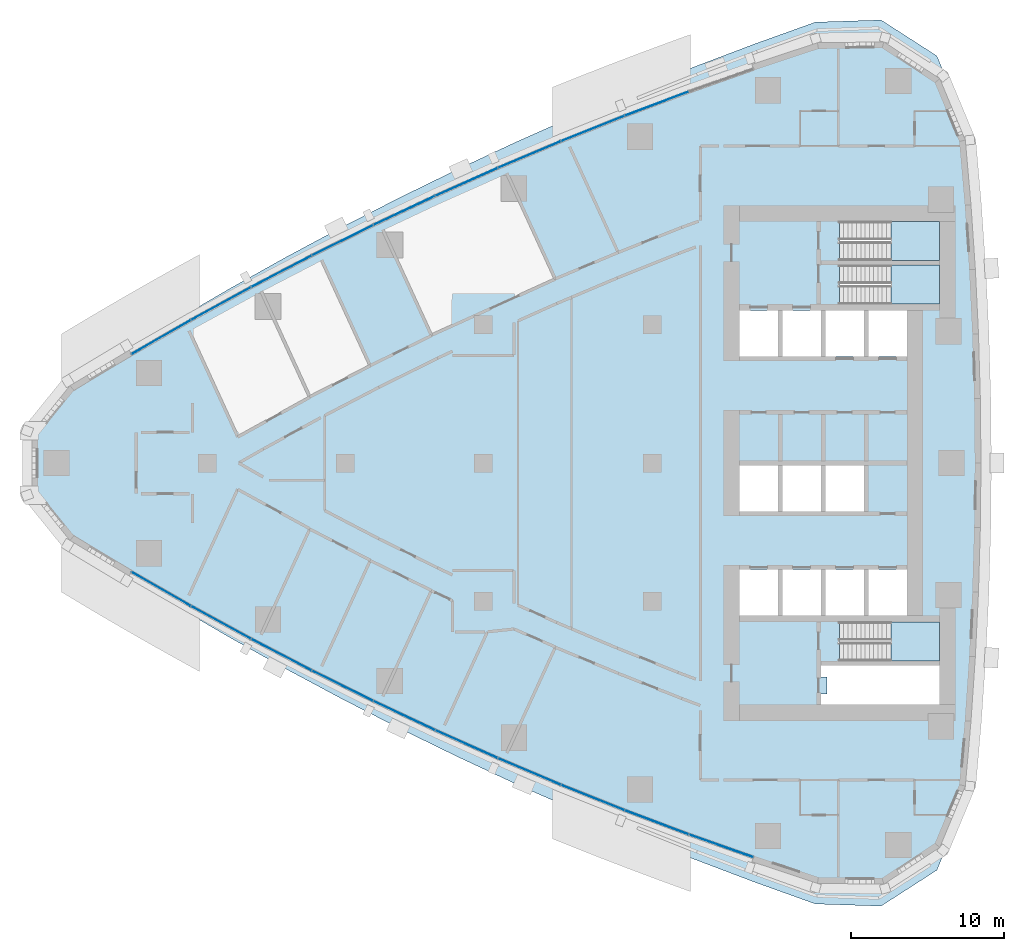
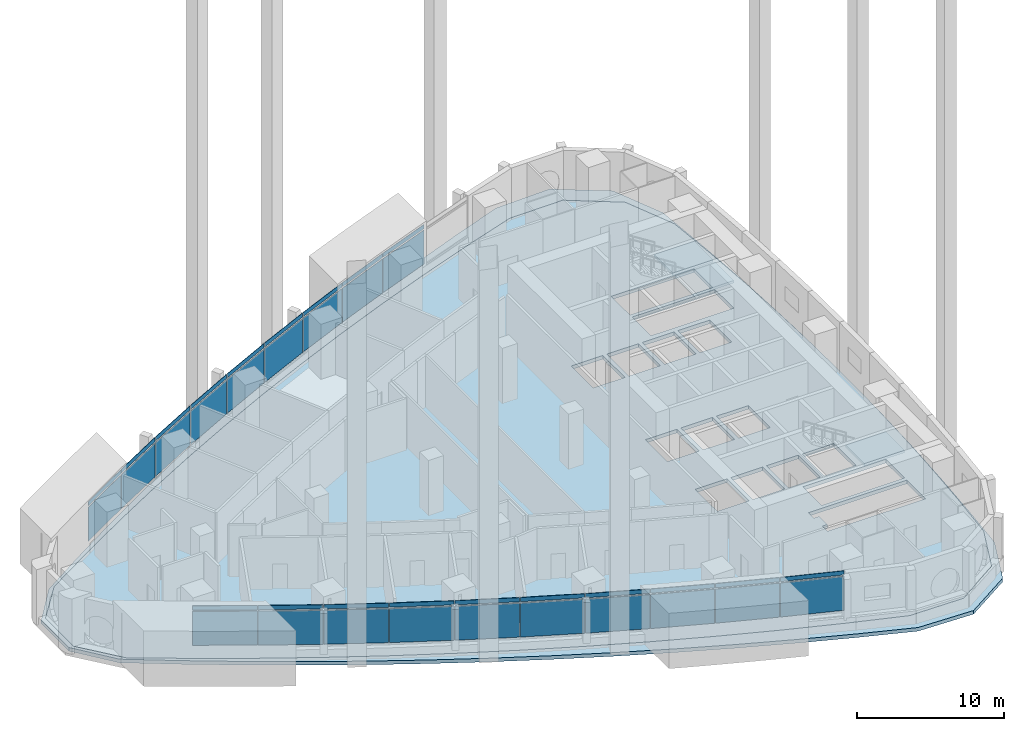
# One storey, part 6 of 17: 38 plates, 5 slabs, 1 opening, 13 elements without a shape of their own.
"""IFC4 building model written with IfcOpenShell, lengths in metres."""

from ifc_helpers import new_model, si_unit, direction, frame, origin, origin_2d, place, context, subcontext, project, spatial, polyline, rectangle, outline, extrude, material, layer, layer_set, type_object, element, aggregate, save


model = new_model("IFC4")

# Units and contexts
model_context = context("Model", 3, precision=1e-05, world=origin(), true_north=direction((0.0, 1.0)))
body_context = subcontext(model_context, "Body", "Model", "MODEL_VIEW")
ifc_project = project(units=[si_unit("LENGTHUNIT", "METRE"), si_unit("AREAUNIT", "SQUARE_METRE"), si_unit("VOLUMEUNIT", "CUBIC_METRE"), si_unit("PLANEANGLEUNIT", "RADIAN"), si_unit("MASSUNIT", "GRAM", prefix="KILO")], contexts=[model_context])

# Site, building, storey
site_placement = place(None, origin())
site = spatial("IfcSite", under=ifc_project, at=site_placement, CompositionType="ELEMENT")
building_placement = place(site_placement, origin())
building = spatial("IfcBuilding", under=site, at=building_placement, Name="Ostrand Prow Hotel Tower", CompositionType="ELEMENT")
storey_placement = place(building_placement, frame((0.0, 0.0, 80.300048828125)))
storey = spatial("IfcBuildingStorey", under=building, at=storey_placement, Name="L18", CompositionType="ELEMENT", Elevation=80.300048828125)

# Curtain wall, plates
ifc_material_1 = material(Name="Insulated glass in bronze anodised frame", Category="glass")
ifc_layer_1 = layer(ifc_material_1, 0.199951171875)
ifc_layer_set_1 = layer_set([ifc_layer_1], Name="Insulated glass in bronze anodised frame")
curtain_wall_type = type_object("IfcCurtainWallType", Name="Sky lobby full-height curtain wall", PredefinedType="NOTDEFINED", material=ifc_layer_set_1)
curtain_wall_1_placement = place(storey_placement, origin())
curtain_wall_1 = element("IfcCurtainWall", 1, at=curtain_wall_1_placement, inside=storey, type_object=curtain_wall_type, Name="CW3 run CWS1", PredefinedType="NOTDEFINED")
ifc_material_2 = material(Name="Low-iron clear glass", Category="glass")
ifc_layer_2 = layer(ifc_material_2, 0.031982421875)
ifc_layer_set_2 = layer_set([ifc_layer_2], Name="Low-iron clear glass")
plate_type_1 = type_object("IfcPlateType", Name="Clear glass unit 32 mm", PredefinedType="CURTAIN_PANEL", material=ifc_layer_set_2)
plate_1_placement = place(storey_placement, frame((13.013916015625, -8.2099609375, 1.02001953125), z_axis=(0.0, 0.0, 1.0), x_axis=(0.867684775301, -0.497114806368, 0.0)))
plate_1 = element("IfcPlate", 2, at=plate_1_placement, type_object=plate_type_1, Name="CW3 PN-C panel 1.2", PredefinedType="CURTAIN_PANEL", context=body_context, shape_type="SweptSolid", body=[
    extrude(rectangle(XDim=4.406005859375, YDim=0.031982421875, at=origin_2d()), origin(), (0.0, 0.0, 1.0), 2.820068359375),
])
plate_2_placement = place(storey_placement, frame((13.013916015625, -8.2099609375, 3.9599609375), z_axis=(0.0, 0.0, 1.0), x_axis=(0.867684775301, -0.497114806368, 0.0)))
plate_2 = element("IfcPlate", 3, at=plate_2_placement, type_object=plate_type_1, Name="CW3 PN-C panel 1.3", PredefinedType="CURTAIN_PANEL", context=body_context, shape_type="SweptSolid", body=[
    extrude(rectangle(XDim=4.406005859375, YDim=0.031982421875, at=origin_2d()), origin(), (0.0, 0.0, 1.0), 0.340087890625),
])
plate_3_placement = place(storey_placement, frame((16.910888671875, -10.39111328125, 1.02001953125), z_axis=(0.0, 0.0, 1.0), x_axis=(0.877466978439, -0.479637052103, 0.0)))
plate_3 = element("IfcPlate", 4, at=plate_3_placement, type_object=plate_type_1, Name="CW3 PN-C panel 2.2", PredefinedType="CURTAIN_PANEL", context=body_context, shape_type="SweptSolid", body=[
    extrude(rectangle(XDim=4.406005859375, YDim=0.031982421875, at=origin_2d()), origin(), (0.0, 0.0, 1.0), 2.820068359375),
])

curtain_wall_2_placement = place(storey_placement, origin())
curtain_wall_2 = element("IfcCurtainWall", 5, at=curtain_wall_2_placement, inside=storey, type_object=curtain_wall_type, Name="CW3 run CWS2", PredefinedType="NOTDEFINED")
plate_4_placement = place(storey_placement, frame((20.8505859375, -12.49365234375, 1.02001953125), z_axis=(0.0, 0.0, 1.0), x_axis=(0.886896367661, -0.461968432937, 0.0)))
plate_4 = element("IfcPlate", 6, at=plate_4_placement, type_object=plate_type_1, Name="CW3 PN-C panel 1.2", PredefinedType="CURTAIN_PANEL", context=body_context, shape_type="SweptSolid", body=[
    extrude(rectangle(XDim=4.406005859375, YDim=0.031982421875, at=origin_2d()), origin(), (0.0, 0.0, 1.0), 2.820068359375),
])
plate_5_placement = place(storey_placement, frame((24.831787109375, -14.516845703125, 1.02001953125), z_axis=(0.0, 0.0, 1.0), x_axis=(0.895970803653, -0.44411295748, 0.0)))
plate_5 = element("IfcPlate", 7, at=plate_5_placement, type_object=plate_type_1, Name="CW3 PN-C panel 2.2", PredefinedType="CURTAIN_PANEL", context=body_context, shape_type="SweptSolid", body=[
    extrude(rectangle(XDim=4.406005859375, YDim=0.031982421875, at=origin_2d()), origin(), (0.0, 0.0, 1.0), 2.820068359375),
])

curtain_wall_3_placement = place(storey_placement, origin())
curtain_wall_3 = element("IfcCurtainWall", 8, at=curtain_wall_3_placement, inside=storey, type_object=curtain_wall_type, Name="CW3 run CWS3", PredefinedType="NOTDEFINED")
plate_6_placement = place(storey_placement, frame((28.852783203125, -16.4599609375, 1.02001953125), z_axis=(0.0, 0.0, 1.0), x_axis=(0.904685808958, -0.426079320162, 0.0)))
plate_6 = element("IfcPlate", 9, at=plate_6_placement, type_object=plate_type_1, Name="CW3 PN-C panel 1.2", PredefinedType="CURTAIN_PANEL", context=body_context, shape_type="SweptSolid", body=[
    extrude(rectangle(XDim=4.406005859375, YDim=0.031982421875, at=origin_2d()), origin(), (0.0, 0.0, 1.0), 2.820068359375),
])
plate_7_placement = place(storey_placement, frame((28.852783203125, -16.4599609375, 3.9599609375), z_axis=(0.0, 0.0, 1.0), x_axis=(0.904685808958, -0.426079320162, 0.0)))
plate_7 = element("IfcPlate", 10, at=plate_7_placement, type_object=plate_type_1, Name="CW3 PN-C panel 1.3", PredefinedType="CURTAIN_PANEL", context=body_context, shape_type="SweptSolid", body=[
    extrude(rectangle(XDim=4.406005859375, YDim=0.031982421875, at=origin_2d()), origin(), (0.0, 0.0, 1.0), 0.340087890625),
])
plate_8_placement = place(storey_placement, frame((32.911865234375, -18.322265625, 1.02001953125), z_axis=(0.0, 0.0, 1.0), x_axis=(0.913037887435, -0.407874755419, 0.0)))
plate_8 = element("IfcPlate", 11, at=plate_8_placement, type_object=plate_type_1, Name="CW3 PN-C panel 2.2", PredefinedType="CURTAIN_PANEL", context=body_context, shape_type="SweptSolid", body=[
    extrude(rectangle(XDim=4.406005859375, YDim=0.031982421875, at=origin_2d()), origin(), (0.0, 0.0, 1.0), 2.820068359375),
])

curtain_wall_4_placement = place(storey_placement, origin())
curtain_wall_4 = element("IfcCurtainWall", 12, at=curtain_wall_4_placement, inside=storey, type_object=curtain_wall_type, Name="CW3 run CWS4", PredefinedType="NOTDEFINED")
plate_9_placement = place(storey_placement, frame((37.007080078125, -20.102783203125, 1.02001953125), z_axis=(0.0, 0.0, 1.0), x_axis=(0.921023688536, -0.389506566255, 0.0)))
plate_9 = element("IfcPlate", 13, at=plate_9_placement, type_object=plate_type_1, Name="CW3 PN-C panel 1.2", PredefinedType="CURTAIN_PANEL", context=body_context, shape_type="SweptSolid", body=[
    extrude(rectangle(XDim=4.406005859375, YDim=0.031982421875, at=origin_2d()), origin(), (0.0, 0.0, 1.0), 2.820068359375),
])
plate_10_placement = place(storey_placement, frame((41.137451171875, -21.801025390625, 1.02001953125), z_axis=(0.0, 0.0, 1.0), x_axis=(0.928640008649, -0.370982121315, 0.0)))
plate_10 = element("IfcPlate", 14, at=plate_10_placement, type_object=plate_type_1, Name="CW3 PN-C panel 2.2", PredefinedType="CURTAIN_PANEL", context=body_context, shape_type="SweptSolid", body=[
    extrude(rectangle(XDim=4.406005859375, YDim=0.031982421875, at=origin_2d()), origin(), (0.0, 0.0, 1.0), 2.820068359375),
])

curtain_wall_5_placement = place(storey_placement, origin())
curtain_wall_5 = element("IfcCurtainWall", 15, at=curtain_wall_5_placement, inside=storey, type_object=curtain_wall_type, Name="CW3 run CWS5", PredefinedType="NOTDEFINED")
plate_11_placement = place(storey_placement, frame((45.301025390625, -23.416015625, 1.02001953125), z_axis=(0.0, 0.0, 1.0), x_axis=(0.935883792387, -0.35230885193, 0.0)))
plate_11 = element("IfcPlate", 16, at=plate_11_placement, type_object=plate_type_1, Name="CW3 PN-C panel 1.2", PredefinedType="CURTAIN_PANEL", context=body_context, shape_type="SweptSolid", body=[
    extrude(rectangle(XDim=4.406005859375, YDim=0.031982421875, at=origin_2d()), origin(), (0.0, 0.0, 1.0), 2.820068359375),
])
plate_12_placement = place(storey_placement, frame((45.301025390625, -23.416015625, 3.9599609375), z_axis=(0.0, 0.0, 1.0), x_axis=(0.935883792387, -0.35230885193, 0.0)))
plate_12 = element("IfcPlate", 17, at=plate_12_placement, type_object=plate_type_1, Name="CW3 PN-C panel 1.3", PredefinedType="CURTAIN_PANEL", context=body_context, shape_type="SweptSolid", body=[
    extrude(rectangle(XDim=4.406005859375, YDim=0.031982421875, at=origin_2d()), origin(), (0.0, 0.0, 1.0), 0.340087890625),
])
plate_13_placement = place(storey_placement, frame((49.49609375, -24.947509765625, 1.02001953125), z_axis=(0.0, 0.0, 1.0), x_axis=(0.942751551748, -0.333495894542, 0.0)))
plate_13 = element("IfcPlate", 18, at=plate_13_placement, type_object=plate_type_1, Name="CW3 PN-C panel 2.2", PredefinedType="CURTAIN_PANEL", context=body_context, shape_type="SweptSolid", body=[
    extrude(rectangle(XDim=4.406005859375, YDim=0.031982421875, at=origin_2d()), origin(), (0.0, 0.0, 1.0), 2.820068359375),
])

# Curtain wall, plate
curtain_wall_6_placement = place(storey_placement, origin())
curtain_wall_6 = element("IfcCurtainWall", 19, at=curtain_wall_6_placement, inside=storey, type_object=curtain_wall_type, Name="CW3 run CWN1", PredefinedType="NOTDEFINED")
plate_14_placement = place(storey_placement, frame((45.301025390625, 23.416015625, 1.02001953125), z_axis=(0.0, 0.0, 1.0), x_axis=(-0.935883792387, -0.35230885193, 0.0)))
plate_14 = element("IfcPlate", 20, at=plate_14_placement, type_object=plate_type_1, Name="CW3 PN-C panel 2.2", PredefinedType="CURTAIN_PANEL", context=body_context, shape_type="SweptSolid", body=[
    extrude(rectangle(XDim=4.406005859375, YDim=0.031982421875, at=origin_2d()), origin(), (0.0, 0.0, 1.0), 2.820068359375),
])

# Curtain wall, plates
curtain_wall_7_placement = place(storey_placement, origin())
curtain_wall_7 = element("IfcCurtainWall", 21, at=curtain_wall_7_placement, inside=storey, type_object=curtain_wall_type, Name="CW3 run CWN2", PredefinedType="NOTDEFINED")
plate_15_placement = place(storey_placement, frame((41.137451171875, 21.801025390625, 1.02001953125), z_axis=(0.0, 0.0, 1.0), x_axis=(-0.928640008649, -0.370982121315, 0.0)))
plate_15 = element("IfcPlate", 22, at=plate_15_placement, type_object=plate_type_1, Name="CW3 PN-C panel 1.2", PredefinedType="CURTAIN_PANEL", context=body_context, shape_type="SweptSolid", body=[
    extrude(rectangle(XDim=4.406005859375, YDim=0.031982421875, at=origin_2d()), origin(), (0.0, 0.0, 1.0), 2.820068359375),
])
plate_16_placement = place(storey_placement, frame((37.007080078125, 20.102783203125, 1.02001953125), z_axis=(0.0, 0.0, 1.0), x_axis=(-0.921023688536, -0.389506566255, 0.0)))
plate_16 = element("IfcPlate", 23, at=plate_16_placement, type_object=plate_type_1, Name="CW3 PN-C panel 2.2", PredefinedType="CURTAIN_PANEL", context=body_context, shape_type="SweptSolid", body=[
    extrude(rectangle(XDim=4.406005859375, YDim=0.031982421875, at=origin_2d()), origin(), (0.0, 0.0, 1.0), 2.820068359375),
])

curtain_wall_8_placement = place(storey_placement, origin())
curtain_wall_8 = element("IfcCurtainWall", 24, at=curtain_wall_8_placement, inside=storey, type_object=curtain_wall_type, Name="CW3 run CWN3", PredefinedType="NOTDEFINED")
plate_17_placement = place(storey_placement, frame((32.911865234375, 18.322265625, 1.02001953125), z_axis=(0.0, 0.0, 1.0), x_axis=(-0.913037887435, -0.407874755419, 0.0)))
plate_17 = element("IfcPlate", 25, at=plate_17_placement, type_object=plate_type_1, Name="CW3 PN-C panel 1.2", PredefinedType="CURTAIN_PANEL", context=body_context, shape_type="SweptSolid", body=[
    extrude(rectangle(XDim=4.406005859375, YDim=0.031982421875, at=origin_2d()), origin(), (0.0, 0.0, 1.0), 2.820068359375),
])
plate_18_placement = place(storey_placement, frame((32.911865234375, 18.322265625, 3.9599609375), z_axis=(0.0, 0.0, 1.0), x_axis=(-0.913037887435, -0.407874755419, 0.0)))
plate_18 = element("IfcPlate", 26, at=plate_18_placement, type_object=plate_type_1, Name="CW3 PN-C panel 1.3", PredefinedType="CURTAIN_PANEL", context=body_context, shape_type="SweptSolid", body=[
    extrude(rectangle(XDim=4.406005859375, YDim=0.031982421875, at=origin_2d()), origin(), (0.0, 0.0, 1.0), 0.340087890625),
])
plate_19_placement = place(storey_placement, frame((28.852783203125, 16.4599609375, 1.02001953125), z_axis=(0.0, 0.0, 1.0), x_axis=(-0.904685808958, -0.426079320162, 0.0)))
plate_19 = element("IfcPlate", 27, at=plate_19_placement, type_object=plate_type_1, Name="CW3 PN-C panel 2.2", PredefinedType="CURTAIN_PANEL", context=body_context, shape_type="SweptSolid", body=[
    extrude(rectangle(XDim=4.406005859375, YDim=0.031982421875, at=origin_2d()), origin(), (0.0, 0.0, 1.0), 2.820068359375),
])

curtain_wall_9_placement = place(storey_placement, origin())
curtain_wall_9 = element("IfcCurtainWall", 28, at=curtain_wall_9_placement, inside=storey, type_object=curtain_wall_type, Name="CW3 run CWN4", PredefinedType="NOTDEFINED")
plate_20_placement = place(storey_placement, frame((24.831787109375, 14.516845703125, 1.02001953125), z_axis=(0.0, 0.0, 1.0), x_axis=(-0.895970803653, -0.44411295748, 0.0)))
plate_20 = element("IfcPlate", 29, at=plate_20_placement, type_object=plate_type_1, Name="CW3 PN-C panel 1.2", PredefinedType="CURTAIN_PANEL", context=body_context, shape_type="SweptSolid", body=[
    extrude(rectangle(XDim=4.406005859375, YDim=0.031982421875, at=origin_2d()), origin(), (0.0, 0.0, 1.0), 2.820068359375),
])
plate_21_placement = place(storey_placement, frame((20.8505859375, 12.49365234375, 1.02001953125), z_axis=(0.0, 0.0, 1.0), x_axis=(-0.886896367661, -0.461968432937, 0.0)))
plate_21 = element("IfcPlate", 30, at=plate_21_placement, type_object=plate_type_1, Name="CW3 PN-C panel 2.2", PredefinedType="CURTAIN_PANEL", context=body_context, shape_type="SweptSolid", body=[
    extrude(rectangle(XDim=4.406005859375, YDim=0.031982421875, at=origin_2d()), origin(), (0.0, 0.0, 1.0), 2.820068359375),
])

curtain_wall_10_placement = place(storey_placement, origin())
curtain_wall_10 = element("IfcCurtainWall", 31, at=curtain_wall_10_placement, inside=storey, type_object=curtain_wall_type, Name="CW3 run CWN5", PredefinedType="NOTDEFINED")
plate_22_placement = place(storey_placement, frame((16.910888671875, 10.39111328125, 1.02001953125), z_axis=(0.0, 0.0, 1.0), x_axis=(-0.877466978439, -0.479637052103, 0.0)))
plate_22 = element("IfcPlate", 32, at=plate_22_placement, type_object=plate_type_1, Name="CW3 PN-C panel 1.2", PredefinedType="CURTAIN_PANEL", context=body_context, shape_type="SweptSolid", body=[
    extrude(rectangle(XDim=4.406005859375, YDim=0.031982421875, at=origin_2d()), origin(), (0.0, 0.0, 1.0), 2.820068359375),
])
plate_23_placement = place(storey_placement, frame((16.910888671875, 10.39111328125, 3.9599609375), z_axis=(0.0, 0.0, 1.0), x_axis=(-0.877466978439, -0.479637052103, 0.0)))
plate_23 = element("IfcPlate", 33, at=plate_23_placement, type_object=plate_type_1, Name="CW3 PN-C panel 1.3", PredefinedType="CURTAIN_PANEL", context=body_context, shape_type="SweptSolid", body=[
    extrude(rectangle(XDim=4.406005859375, YDim=0.031982421875, at=origin_2d()), origin(), (0.0, 0.0, 1.0), 0.340087890625),
])
plate_24_placement = place(storey_placement, frame((13.013916015625, 8.2099609375, 1.02001953125), z_axis=(0.0, 0.0, 1.0), x_axis=(-0.867684775301, -0.497114806368, 0.0)))
plate_24 = element("IfcPlate", 34, at=plate_24_placement, type_object=plate_type_1, Name="CW3 PN-C panel 2.2", PredefinedType="CURTAIN_PANEL", context=body_context, shape_type="SweptSolid", body=[
    extrude(rectangle(XDim=4.406005859375, YDim=0.031982421875, at=origin_2d()), origin(), (0.0, 0.0, 1.0), 2.820068359375),
])

# Plate
ifc_material_3 = material(Name="Ceramic-fritted glass", Category="glass")
ifc_layer_3 = layer(ifc_material_3, 0.031982421875)
ifc_layer_set_3 = layer_set([ifc_layer_3], Name="Ceramic-fritted glass")
plate_type_2 = type_object("IfcPlateType", Name="Dot-fritted ceramic glass unit 32 mm", PredefinedType="CURTAIN_PANEL", material=ifc_layer_set_3)
plate_25_placement = place(storey_placement, frame((16.910888671875, -10.39111328125, 3.9599609375), z_axis=(0.0, 0.0, 1.0), x_axis=(0.877466978439, -0.479637052103, 0.0)))
plate_25 = element("IfcPlate", 35, at=plate_25_placement, type_object=plate_type_2, Name="CW3 PN-D panel 2.3", PredefinedType="CURTAIN_PANEL", context=body_context, shape_type="SweptSolid", body=[
    extrude(rectangle(XDim=4.406005859375, YDim=0.031982421875, at=origin_2d()), origin(), (0.0, 0.0, 1.0), 0.340087890625),
])

aggregate(curtain_wall_1, [plate_1, plate_2, plate_3, plate_25])

plate_26_placement = place(storey_placement, frame((24.831787109375, -14.516845703125, 3.9599609375), z_axis=(0.0, 0.0, 1.0), x_axis=(0.895970803653, -0.44411295748, 0.0)))
plate_26 = element("IfcPlate", 36, at=plate_26_placement, type_object=plate_type_2, Name="CW3 PN-D panel 2.3", PredefinedType="CURTAIN_PANEL", context=body_context, shape_type="SweptSolid", body=[
    extrude(rectangle(XDim=4.406005859375, YDim=0.031982421875, at=origin_2d()), origin(), (0.0, 0.0, 1.0), 0.340087890625),
])

plate_27_placement = place(storey_placement, frame((32.911865234375, -18.322265625, 3.9599609375), z_axis=(0.0, 0.0, 1.0), x_axis=(0.913037887435, -0.407874755419, 0.0)))
plate_27 = element("IfcPlate", 37, at=plate_27_placement, type_object=plate_type_2, Name="CW3 PN-D panel 2.3", PredefinedType="CURTAIN_PANEL", context=body_context, shape_type="SweptSolid", body=[
    extrude(rectangle(XDim=4.406005859375, YDim=0.031982421875, at=origin_2d()), origin(), (0.0, 0.0, 1.0), 0.340087890625),
])

aggregate(curtain_wall_3, [plate_6, plate_7, plate_8, plate_27])

plate_28_placement = place(storey_placement, frame((41.137451171875, -21.801025390625, 3.9599609375), z_axis=(0.0, 0.0, 1.0), x_axis=(0.928640008649, -0.370982121315, 0.0)))
plate_28 = element("IfcPlate", 38, at=plate_28_placement, type_object=plate_type_2, Name="CW3 PN-D panel 2.3", PredefinedType="CURTAIN_PANEL", context=body_context, shape_type="SweptSolid", body=[
    extrude(rectangle(XDim=4.406005859375, YDim=0.031982421875, at=origin_2d()), origin(), (0.0, 0.0, 1.0), 0.340087890625),
])

plate_29_placement = place(storey_placement, frame((49.49609375, -24.947509765625, 3.9599609375), z_axis=(0.0, 0.0, 1.0), x_axis=(0.942751551748, -0.333495894542, 0.0)))
plate_29 = element("IfcPlate", 39, at=plate_29_placement, type_object=plate_type_2, Name="CW3 PN-D panel 2.3", PredefinedType="CURTAIN_PANEL", context=body_context, shape_type="SweptSolid", body=[
    extrude(rectangle(XDim=4.406005859375, YDim=0.031982421875, at=origin_2d()), origin(), (0.0, 0.0, 1.0), 0.340087890625),
])

aggregate(curtain_wall_5, [plate_11, plate_12, plate_13, plate_29])

plate_30_placement = place(storey_placement, frame((45.301025390625, 23.416015625, 3.9599609375), z_axis=(0.0, 0.0, 1.0), x_axis=(-0.935883792387, -0.35230885193, 0.0)))
plate_30 = element("IfcPlate", 40, at=plate_30_placement, type_object=plate_type_2, Name="CW3 PN-D panel 2.3", PredefinedType="CURTAIN_PANEL", context=body_context, shape_type="SweptSolid", body=[
    extrude(rectangle(XDim=4.406005859375, YDim=0.031982421875, at=origin_2d()), origin(), (0.0, 0.0, 1.0), 0.340087890625),
])

aggregate(curtain_wall_6, [plate_14, plate_30])

plate_31_placement = place(storey_placement, frame((37.007080078125, 20.102783203125, 3.9599609375), z_axis=(0.0, 0.0, 1.0), x_axis=(-0.921023688536, -0.389506566255, 0.0)))
plate_31 = element("IfcPlate", 41, at=plate_31_placement, type_object=plate_type_2, Name="CW3 PN-D panel 2.3", PredefinedType="CURTAIN_PANEL", context=body_context, shape_type="SweptSolid", body=[
    extrude(rectangle(XDim=4.406005859375, YDim=0.031982421875, at=origin_2d()), origin(), (0.0, 0.0, 1.0), 0.340087890625),
])

plate_32_placement = place(storey_placement, frame((28.852783203125, 16.4599609375, 3.9599609375), z_axis=(0.0, 0.0, 1.0), x_axis=(-0.904685808958, -0.426079320162, 0.0)))
plate_32 = element("IfcPlate", 42, at=plate_32_placement, type_object=plate_type_2, Name="CW3 PN-D panel 2.3", PredefinedType="CURTAIN_PANEL", context=body_context, shape_type="SweptSolid", body=[
    extrude(rectangle(XDim=4.406005859375, YDim=0.031982421875, at=origin_2d()), origin(), (0.0, 0.0, 1.0), 0.340087890625),
])

aggregate(curtain_wall_8, [plate_17, plate_18, plate_19, plate_32])

plate_33_placement = place(storey_placement, frame((20.8505859375, 12.49365234375, 3.9599609375), z_axis=(0.0, 0.0, 1.0), x_axis=(-0.886896367661, -0.461968432937, 0.0)))
plate_33 = element("IfcPlate", 43, at=plate_33_placement, type_object=plate_type_2, Name="CW3 PN-D panel 2.3", PredefinedType="CURTAIN_PANEL", context=body_context, shape_type="SweptSolid", body=[
    extrude(rectangle(XDim=4.406005859375, YDim=0.031982421875, at=origin_2d()), origin(), (0.0, 0.0, 1.0), 0.340087890625),
])

plate_34_placement = place(storey_placement, frame((13.013916015625, 8.2099609375, 3.9599609375), z_axis=(0.0, 0.0, 1.0), x_axis=(-0.867684775301, -0.497114806368, 0.0)))
plate_34 = element("IfcPlate", 44, at=plate_34_placement, type_object=plate_type_2, Name="CW3 PN-D panel 2.3", PredefinedType="CURTAIN_PANEL", context=body_context, shape_type="SweptSolid", body=[
    extrude(rectangle(XDim=4.406005859375, YDim=0.031982421875, at=origin_2d()), origin(), (0.0, 0.0, 1.0), 0.340087890625),
])

aggregate(curtain_wall_10, [plate_22, plate_23, plate_24, plate_34])

ifc_material_4 = material(Name="Ceramic-fritted glass", Category="glass")
ifc_layer_4 = layer(ifc_material_4, 0.031982421875)
ifc_layer_set_4 = layer_set([ifc_layer_4], Name="Ceramic-fritted glass")
plate_type_3 = type_object("IfcPlateType", Name="Line-fritted ceramic glass unit 32 mm", PredefinedType="CURTAIN_PANEL", material=ifc_layer_set_4)
plate_35_placement = place(storey_placement, frame((20.8505859375, -12.49365234375, 3.9599609375), z_axis=(0.0, 0.0, 1.0), x_axis=(0.886896367661, -0.461968432937, 0.0)))
plate_35 = element("IfcPlate", 45, at=plate_35_placement, type_object=plate_type_3, Name="CW3 PN-L panel 1.3", PredefinedType="CURTAIN_PANEL", context=body_context, shape_type="SweptSolid", body=[
    extrude(rectangle(XDim=4.406005859375, YDim=0.031982421875, at=origin_2d()), origin(), (0.0, 0.0, 1.0), 0.340087890625),
])

aggregate(curtain_wall_2, [plate_4, plate_35, plate_5, plate_26])

plate_36_placement = place(storey_placement, frame((37.007080078125, -20.102783203125, 3.9599609375), z_axis=(0.0, 0.0, 1.0), x_axis=(0.921023688536, -0.389506566255, 0.0)))
plate_36 = element("IfcPlate", 46, at=plate_36_placement, type_object=plate_type_3, Name="CW3 PN-L panel 1.3", PredefinedType="CURTAIN_PANEL", context=body_context, shape_type="SweptSolid", body=[
    extrude(rectangle(XDim=4.406005859375, YDim=0.031982421875, at=origin_2d()), origin(), (0.0, 0.0, 1.0), 0.340087890625),
])

aggregate(curtain_wall_4, [plate_9, plate_36, plate_10, plate_28])

plate_37_placement = place(storey_placement, frame((41.137451171875, 21.801025390625, 3.9599609375), z_axis=(0.0, 0.0, 1.0), x_axis=(-0.928640008649, -0.370982121315, 0.0)))
plate_37 = element("IfcPlate", 47, at=plate_37_placement, type_object=plate_type_3, Name="CW3 PN-L panel 1.3", PredefinedType="CURTAIN_PANEL", context=body_context, shape_type="SweptSolid", body=[
    extrude(rectangle(XDim=4.406005859375, YDim=0.031982421875, at=origin_2d()), origin(), (0.0, 0.0, 1.0), 0.340087890625),
])

aggregate(curtain_wall_7, [plate_15, plate_37, plate_16, plate_31])

plate_38_placement = place(storey_placement, frame((24.831787109375, 14.516845703125, 3.9599609375), z_axis=(0.0, 0.0, 1.0), x_axis=(-0.895970803653, -0.44411295748, 0.0)))
plate_38 = element("IfcPlate", 48, at=plate_38_placement, type_object=plate_type_3, Name="CW3 PN-L panel 1.3", PredefinedType="CURTAIN_PANEL", context=body_context, shape_type="SweptSolid", body=[
    extrude(rectangle(XDim=4.406005859375, YDim=0.031982421875, at=origin_2d()), origin(), (0.0, 0.0, 1.0), 0.340087890625),
])

aggregate(curtain_wall_9, [plate_20, plate_38, plate_21, plate_33])

# Slab, opening
ifc_material_5 = material(Name="Concrete C40/50", Category="concrete")
ifc_layer_5 = layer(ifc_material_5, 0.300048828125)
ifc_layer_set_5 = layer_set([ifc_layer_5], Name="Concrete C40/50")
slab_type_1 = type_object("IfcSlabType", Name="PT flat plate 300 C40/50", PredefinedType="FLOOR", material=ifc_layer_set_5)
slab_1_placement = place(storey_placement, frame((0.0, 0.0, -0.300048828125)))
slab_1 = element("IfcSlab", 49, at=slab_1_placement, inside=storey, type_object=slab_type_1, Name="Floor slab L18-1", PredefinedType="FLOOR", context=body_context, shape_type="SweptSolid", body=[
    extrude(outline(polyline([(7.150390625, 4.879638671875), (11.01806640625, 7.19970703125), (14.89501953125, 9.4208984375), (18.81591796875, 11.56396484375), (22.77880859375, 13.628173828125), (26.7822265625, 15.61279296875), (30.82470703125, 17.5166015625), (34.904541015625, 19.339111328125), (39.02001953125, 21.07958984375), (43.16943359375, 22.7373046875), (47.351318359375, 24.311279296875), (51.563720703125, 25.801513671875), (55.839599609375, 27.218505859375), (60.05615234375, 27.271728515625), (63.6103515625, 24.932861328125), (65.2294921875, 21.039306640625), (65.598876953125, 16.81201171875), (65.883544921875, 12.614501953125), (66.087158203125, 8.412353515625), (66.209228515625, 4.206787109375), (66.25, 0.0), (66.209228515625, -4.206787109375), (66.087158203125, -8.412353515625), (65.883544921875, -12.614501953125), (65.598876953125, -16.81201171875), (65.2294921875, -21.039306640625), (63.6103515625, -24.932861328125), (60.05615234375, -27.271728515625), (55.839599609375, -27.218505859375), (51.563720703125, -25.801513671875), (47.351318359375, -24.311279296875), (43.16943359375, -22.7373046875), (39.02001953125, -21.07958984375), (34.904541015625, -19.339111328125), (30.82470703125, -17.5166015625), (26.7822265625, -15.61279296875), (22.77880859375, -13.628173828125), (18.81591796875, -11.56396484375), (14.89501953125, -9.4208984375), (11.01806640625, -7.19970703125), (7.150390625, -4.879638671875), (4.75830078125, -1.923583984375), (4.75830078125, 1.923583984375), (7.150390625, 4.879638671875)]), holes=[polyline([(50.699951171875, 6.949951171875), (53.199951171875, 6.949951171875), (53.199951171875, 9.949951171875), (50.699951171875, 9.949951171875), (50.699951171875, 6.949951171875)]), polyline([(53.5, 6.949951171875), (56.0, 6.949951171875), (56.0, 9.949951171875), (53.5, 9.949951171875), (53.5, 6.949951171875)]), polyline([(56.300048828125, 6.949951171875), (58.800048828125, 6.949951171875), (58.800048828125, 9.949951171875), (56.300048828125, 9.949951171875), (56.300048828125, 6.949951171875)]), polyline([(59.10009765625, 6.949951171875), (61.60009765625, 6.949951171875), (61.60009765625, 9.949951171875), (59.10009765625, 9.949951171875), (59.10009765625, 6.949951171875)]), polyline([(50.699951171875, -3.14990234375), (53.199951171875, -3.14990234375), (53.199951171875, -0.14990234375), (50.699951171875, -0.14990234375), (50.699951171875, -3.14990234375)]), polyline([(53.5, -3.14990234375), (56.0, -3.14990234375), (56.0, -0.14990234375), (53.5, -0.14990234375), (53.5, -3.14990234375)]), polyline([(56.300048828125, -3.14990234375), (58.800048828125, -3.14990234375), (58.800048828125, -0.14990234375), (56.300048828125, -0.14990234375), (56.300048828125, -3.14990234375)]), polyline([(50.699951171875, -9.949951171875), (53.199951171875, -9.949951171875), (53.199951171875, -6.949951171875), (50.699951171875, -6.949951171875), (50.699951171875, -9.949951171875)]), polyline([(53.5, -9.949951171875), (56.0, -9.949951171875), (56.0, -6.949951171875), (53.5, -6.949951171875), (53.5, -9.949951171875)]), polyline([(56.300048828125, -9.949951171875), (58.800048828125, -9.949951171875), (58.800048828125, -6.949951171875), (56.300048828125, -6.949951171875), (56.300048828125, -9.949951171875)]), polyline([(59.10009765625, -9.949951171875), (61.60009765625, -9.949951171875), (61.60009765625, -6.949951171875), (59.10009765625, -6.949951171875), (59.10009765625, -9.949951171875)]), polyline([(57.200927734375, 10.35107421875), (57.200927734375, 12.89892578125), (63.718994140625, 12.89892578125), (63.718994140625, 10.35107421875), (57.200927734375, 10.35107421875)]), polyline([(57.200927734375, 13.200927734375), (57.200927734375, 15.7490234375), (63.718994140625, 15.7490234375), (63.718994140625, 13.200927734375), (57.200927734375, 13.200927734375)]), polyline([(57.200927734375, -12.89892578125), (57.200927734375, -10.35107421875), (63.718994140625, -10.35107421875), (63.718994140625, -12.89892578125), (57.200927734375, -12.89892578125)]), polyline([(56.0, -13.199951171875), (63.719970703125, -13.199951171875), (63.719970703125, -15.75), (56.0, -15.75), (56.0, -15.050048828125), (56.39990234375, -15.050048828125), (56.39990234375, -13.949951171875), (56.0, -13.949951171875), (56.0, -13.199951171875)])]), origin(), (0.0, 0.0, 1.0), 0.300048828125),
])
opening_placement = place(slab_1_placement, origin())
element("IfcOpeningElement", 50, at=opening_placement, cuts=slab_1, Name="Shaft opening 1", PredefinedType="OPENING", context=body_context, shape_type="SweptSolid", body=[
    extrude(outline(polyline([(56.0, -13.199951171875), (63.719970703125, -13.199951171875), (63.719970703125, -15.75), (56.0, -15.75), (56.0, -15.050048828125), (56.39990234375, -15.050048828125), (56.39990234375, -13.949951171875), (56.0, -13.949951171875), (56.0, -13.199951171875)])), origin(), (0.0, 0.0, 1.0), 0.300048828125),
])

# Slab
ifc_material_6 = material(Name="Concrete C40/50", Category="concrete")
ifc_layer_6 = layer(ifc_material_6, 0.300048828125)
ifc_layer_set_6 = layer_set([ifc_layer_6], Name="Concrete C40/50")
slab_type_2 = type_object("IfcSlabType", Name="Roof slab 300 C40/50", PredefinedType="ROOF", material=ifc_layer_set_6)
slab_2_placement = place(storey_placement, frame((0.0, 0.0, -0.300048828125)))
element("IfcSlab", 51, at=slab_2_placement, inside=storey, type_object=slab_type_2, Name="Ledge roof slab L18.1", PredefinedType="ROOF", context=body_context, shape_type="SweptSolid", body=[
    extrude(outline(polyline([(10.26806640625, 7.073974609375), (13.851806640625, 9.2548828125), (17.47509765625, 11.369384765625), (21.136962890625, 13.416748046875), (24.83544921875, 15.396484375), (28.570068359375, 17.3076171875), (32.339111328125, 19.14990234375), (36.141357421875, 20.922607421875), (39.9755859375, 22.625), (43.840576171875, 24.25634765625), (47.73486328125, 25.81640625), (51.6572265625, 27.3046875), (55.64111328125, 28.73291015625), (59.92333984375, 28.873046875), (63.55908203125, 26.53369140625), (65.2060546875, 22.578369140625), (65.552978515625, 18.45166015625), (65.828369140625, 14.356689453125), (66.034912109375, 10.2578125), (66.172607421875, 6.15576171875), (66.1982421875, 4.618896484375), (66.088134765625, 8.412353515625), (65.884521484375, 12.614501953125), (65.599853515625, 16.81201171875), (65.230712890625, 21.03955078125), (63.611083984375, 24.93359375), (60.056396484375, 27.272705078125), (55.839599609375, 27.219482421875), (51.5634765625, 25.802490234375), (47.350830078125, 24.312255859375), (43.1689453125, 22.738037109375), (39.01953125, 21.080322265625), (34.904052734375, 19.340087890625), (30.82421875, 17.517333984375), (26.781982421875, 15.613525390625), (22.7783203125, 13.629150390625), (18.8154296875, 11.56494140625), (14.89453125, 9.421630859375), (11.017578125, 7.200439453125), (7.149658203125, 4.88037109375), (4.75732421875, 1.923828125), (4.75732421875, -1.923828125), (7.149658203125, -4.88037109375), (11.017578125, -7.200439453125), (14.89453125, -9.421630859375), (18.8154296875, -11.56494140625), (22.7783203125, -13.629150390625), (26.781982421875, -15.613525390625), (30.82421875, -17.517333984375), (34.904052734375, -19.340087890625), (39.01953125, -21.080322265625), (43.1689453125, -22.738037109375), (47.350830078125, -24.312255859375), (51.5634765625, -25.802490234375), (55.839599609375, -27.219482421875), (60.056396484375, -27.272705078125), (63.611083984375, -24.93359375), (65.230712890625, -21.03955078125), (65.599853515625, -16.81201171875), (65.884521484375, -12.614501953125), (66.088134765625, -8.412353515625), (66.1982421875, -4.618896484375), (66.172607421875, -6.15576171875), (66.034912109375, -10.2578125), (65.828369140625, -14.356689453125), (65.552978515625, -18.45166015625), (65.2060546875, -22.578369140625), (63.55908203125, -26.53369140625), (59.92333984375, -28.873046875), (55.64111328125, -28.73291015625), (51.6572265625, -27.3046875), (47.73486328125, -25.81640625), (43.840576171875, -24.25634765625), (39.9755859375, -22.625), (36.141357421875, -20.922607421875), (32.339111328125, -19.14990234375), (28.570068359375, -17.3076171875), (24.83544921875, -15.396484375), (21.136962890625, -13.416748046875), (17.47509765625, -11.369384765625), (13.851806640625, -9.2548828125), (10.26806640625, -7.073974609375), (6.690673828125, -4.805908203125), (4.399169921875, -1.8798828125), (4.399169921875, 1.8798828125), (6.690673828125, 4.805908203125), (10.26806640625, 7.073974609375)])), origin(), (0.0, 0.0, 1.0), 0.300048828125),
])

# Stair, slab
ifc_material_7 = material(Name="Concrete C40/50", Category="concrete")
stair_type = type_object("IfcStairType", Name="Exit stair 1200 upper zone", PredefinedType="HALF_TURN_STAIR", material=ifc_material_7)
stair_1_placement = place(storey_placement, origin())
stair_1 = element("IfcStair", 52, at=stair_1_placement, inside=storey, type_object=stair_type, Name="L18 ST1C", PredefinedType="HALF_TURN_STAIR")
ifc_material_8 = material(Name="Concrete C40/50", Category="concrete")
ifc_layer_7 = layer(ifc_material_8, 0.199951171875)
ifc_layer_set_7 = layer_set([ifc_layer_7], Name="Concrete C40/50")
slab_type_3 = type_object("IfcSlabType", Name="Stair landing 200 concrete", PredefinedType="LANDING", material=ifc_layer_set_7)
slab_3_placement = place(storey_placement, frame((0.0, 0.0, 2.099853515625)))
slab_3 = element("IfcSlab", 53, at=slab_3_placement, type_object=slab_type_3, Name="ST1C landing 1", PredefinedType="LANDING", context=body_context, shape_type="SweptSolid", body=[
    extrude(outline(polyline([(60.56005859375, 10.35009765625), (63.719970703125, 10.35009765625), (63.719970703125, 12.89990234375), (60.56005859375, 12.89990234375), (60.56005859375, 10.35009765625)])), origin(), (0.0, 0.0, 1.0), 0.2001953125),
])
aggregate(stair_1, [slab_3])

stair_2_placement = place(storey_placement, origin())
stair_2 = element("IfcStair", 54, at=stair_2_placement, inside=storey, type_object=stair_type, Name="L18 ST3C", PredefinedType="HALF_TURN_STAIR")
slab_4_placement = place(storey_placement, frame((0.0, 0.0, 2.099853515625)))
slab_4 = element("IfcSlab", 55, at=slab_4_placement, type_object=slab_type_3, Name="ST3C landing 1", PredefinedType="LANDING", context=body_context, shape_type="SweptSolid", body=[
    extrude(outline(polyline([(60.56005859375, 13.199951171875), (63.719970703125, 13.199951171875), (63.719970703125, 15.75), (60.56005859375, 15.75), (60.56005859375, 13.199951171875)])), origin(), (0.0, 0.0, 1.0), 0.2001953125),
])
aggregate(stair_2, [slab_4])

stair_3_placement = place(storey_placement, origin())
stair_3 = element("IfcStair", 56, at=stair_3_placement, inside=storey, type_object=stair_type, Name="L18 ST2C", PredefinedType="HALF_TURN_STAIR")
slab_5_placement = place(storey_placement, frame((0.0, 0.0, 2.099853515625)))
slab_5 = element("IfcSlab", 57, at=slab_5_placement, type_object=slab_type_3, Name="ST2C landing 1", PredefinedType="LANDING", context=body_context, shape_type="SweptSolid", body=[
    extrude(outline(polyline([(60.56005859375, -12.89990234375), (63.719970703125, -12.89990234375), (63.719970703125, -10.35009765625), (60.56005859375, -10.35009765625), (60.56005859375, -12.89990234375)])), origin(), (0.0, 0.0, 1.0), 0.2001953125),
])
aggregate(stair_3, [slab_5])

save(model, "model.ifc")
